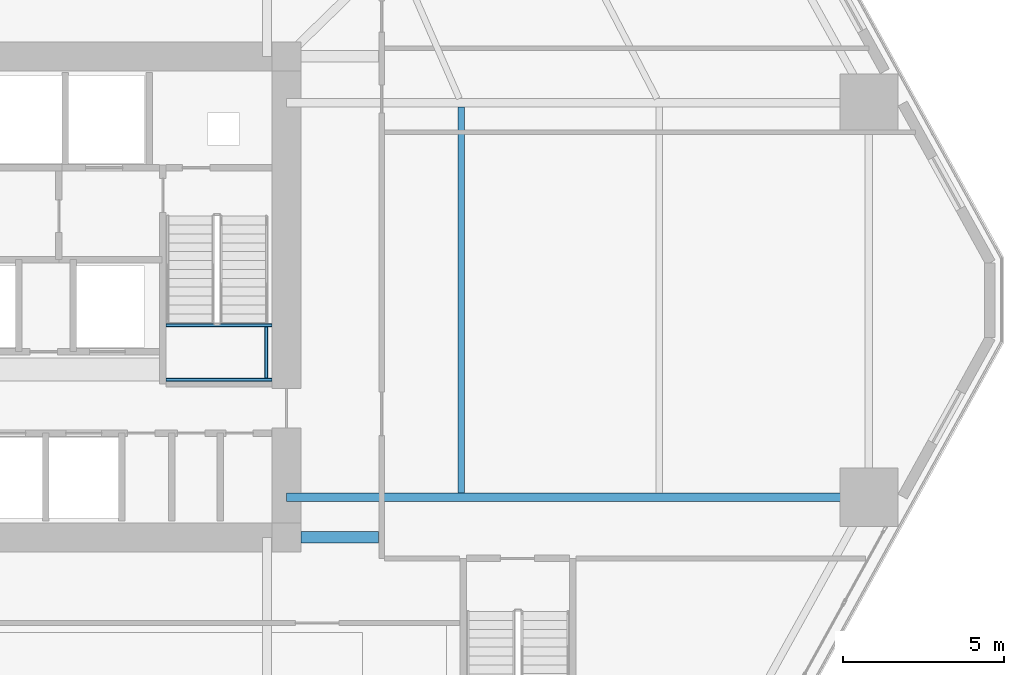
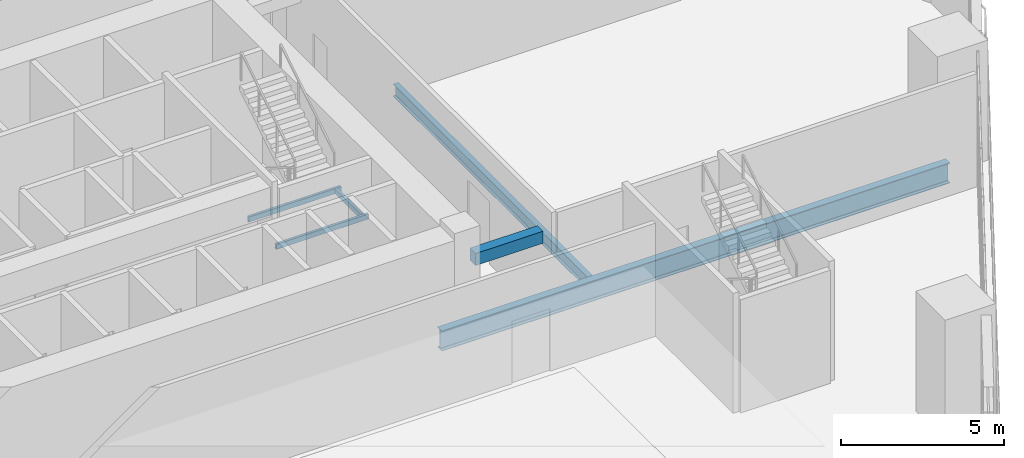
# One storey, part 3 of 18: 6 beams.
"""IFC4 building model written with IfcOpenShell, lengths in metres."""

from ifc_helpers import new_model, si_unit, direction, frame, origin, origin_2d, place, context, subcontext, project, spatial, rectangle, hollow_rectangle, i_section, extrude, material, material_profile, profile_set, type_object, element, save


model = new_model("IFC4")

# Units and contexts
model_context = context("Model", 3, precision=1e-05, world=origin(), true_north=direction((0.0, 1.0)))
body_context = subcontext(model_context, "Body", "Model", "MODEL_VIEW")
ifc_project = project(units=[si_unit("LENGTHUNIT", "METRE"), si_unit("AREAUNIT", "SQUARE_METRE"), si_unit("VOLUMEUNIT", "CUBIC_METRE"), si_unit("PLANEANGLEUNIT", "RADIAN"), si_unit("MASSUNIT", "GRAM", prefix="KILO")], contexts=[model_context])

# Site, building, storey
site_placement = place(None, origin())
site = spatial("IfcSite", under=ifc_project, at=site_placement, CompositionType="ELEMENT")
building_placement = place(site_placement, origin())
building = spatial("IfcBuilding", under=site, at=building_placement, Name="Cinnabar Lancet Tower", CompositionType="ELEMENT")
storey_placement = place(building_placement, frame((0.0, 0.0, 10.5)))
storey = spatial("IfcBuildingStorey", under=building, at=storey_placement, Name="L02", CompositionType="ELEMENT", Elevation=10.5)

# Beams
ifc_material_1 = material(Name="Structural steel S355", Category="steel")
ifc_material_profile_1 = material_profile(ifc_material_1, i_section(OverallWidth=0.1904296875, OverallDepth=0.45703125, WebThickness=0.009033203125, FlangeThickness=0.014404296875, FilletRadius=0.01025390625, at=origin_2d()), Name="UKB 457x191x74")
ifc_profile_set_1 = profile_set([ifc_material_profile_1], Name="Structural steel S355")
beam_type_1 = type_object("IfcBeamType", Name="STR-BM-JST-457", PredefinedType="JOIST", material=ifc_profile_set_1)
beam_1_placement = place(storey_placement, frame((47.261962890625, 19.824951171875, -0.47900390625), z_axis=(0.0, 1.0, 0.0), x_axis=(-1.0, 0.0, 0.0)))
element("IfcBeam", 1, at=beam_1_placement, inside=storey, type_object=beam_type_1, Name="L02 Secondary Floor Joist 2", PredefinedType="JOIST", context=body_context, shape_type="SweptSolid", body=[
    extrude(i_section(OverallWidth=0.1904296875, OverallDepth=0.45703125, WebThickness=0.009033203125, FlangeThickness=0.014404296875, FilletRadius=0.01025390625, at=origin_2d()), origin(), (0.0, 0.0, 1.0), 11.949951171875),
])
ifc_material_2 = material(Name="Structural steel S355", Category="steel")
ifc_material_profile_2 = material_profile(ifc_material_2, hollow_rectangle(XDim=0.10009765625, YDim=0.199951171875, WallThickness=0.008056640625, InnerFilletRadius=0.00390625, OuterFilletRadius=0.011962890625, at=origin_2d()), Name="RHS 200x100x8")
ifc_profile_set_2 = profile_set([ifc_material_profile_2], Name="Structural steel S355")
beam_type_2 = type_object("IfcBeamType", Name="STR-BM-LND-203", PredefinedType="BEAM", material=ifc_profile_set_2)
for number, where, z_axis, x_axis, name in (
    (2, (38.1201171875, 23.330078125, 1.949951171875), (1.0, 0.0, 0.0), (0.0, 1.0, 0.0), "L02 ST-2-L02 Landing Support Beam S"),
    (3, (38.1201171875, 25.02001953125, 1.949951171875), (1.0, 0.0, 0.0), (0.0, 1.0, 0.0), "L02 ST-2-L02 Landing Support Beam N"),
):
    element("IfcBeam", number, at=place(storey_placement, frame(where, z_axis=z_axis, x_axis=x_axis)), inside=storey, type_object=beam_type_2, Name=name, PredefinedType="BEAM", context=body_context, shape_type="SweptSolid", body=[
        extrude(hollow_rectangle(XDim=0.10009765625, YDim=0.199951171875, WallThickness=0.008056640625, InnerFilletRadius=0.00390625, OuterFilletRadius=0.011962890625, at=origin_2d()), origin(), (0.0, 0.0, 1.0), 3.27978515625),
    ])
beam_2_placement = place(storey_placement, frame((41.219970703125, 23.3798828125, 1.949951171875), z_axis=(0.0, 1.0, 0.0), x_axis=(-1.0, 0.0, 0.0)))
element("IfcBeam", 4, at=beam_2_placement, inside=storey, type_object=beam_type_2, Name="L02 ST-2-L02 Landing Side Trimmer Beam", PredefinedType="BEAM", context=body_context, shape_type="SweptSolid", body=[
    extrude(hollow_rectangle(XDim=0.10009765625, YDim=0.199951171875, WallThickness=0.008056640625, InnerFilletRadius=0.00390625, OuterFilletRadius=0.011962890625, at=origin_2d()), origin(), (0.0, 0.0, 1.0), 1.590087890625),
])
ifc_material_3 = material(Name="Concrete C45/55", Category="concrete")
ifc_material_profile_3 = material_profile(ifc_material_3, rectangle(XDim=0.35009765625, YDim=0.449951171875, at=origin_2d()), Name="RC-LNT 350x450")
ifc_profile_set_3 = profile_set([ifc_material_profile_3], Name="Concrete C45/55")
beam_type_3 = type_object("IfcBeamType", Name="STR-BM-LNT-450", PredefinedType="LINTEL", material=ifc_profile_set_3)
beam_3_placement = place(storey_placement, frame((42.300048828125, 18.449951171875, 3.050048828125), z_axis=(1.0, 0.0, 0.0), x_axis=(0.0, 1.0, 0.0)))
element("IfcBeam", 5, at=beam_3_placement, inside=storey, type_object=beam_type_3, Name="L02 Podium Gallery Arch Lintel SE", PredefinedType="LINTEL", context=body_context, shape_type="SweptSolid", body=[
    extrude(rectangle(XDim=0.35009765625, YDim=0.449951171875, at=origin_2d()), origin(), (0.0, 0.0, 1.0), 2.39990234375),
])
ifc_material_4 = material(Name="Structural steel S355", Category="steel")
ifc_material_profile_4 = material_profile(ifc_material_4, i_section(OverallWidth=0.2666015625, OverallDepth=0.76220703125, WebThickness=0.014404296875, FlangeThickness=0.021484375, FilletRadius=0.0166015625, at=origin_2d()), Name="UKB 762x267x173")
ifc_profile_set_4 = profile_set([ifc_material_profile_4], Name="Structural steel S355")
beam_type_4 = type_object("IfcBeamType", Name="STR-BM-UKB762-173", PredefinedType="BEAM", material=ifc_profile_set_4)
beam_4_placement = place(storey_placement, frame((59.89111328125, 19.69189453125, -0.631103515625), z_axis=(-1.0, 0.0, 0.0), x_axis=(0.0, -1.0, 0.0)))
element("IfcBeam", 6, at=beam_4_placement, inside=storey, type_object=beam_type_4, Name="L02 Primary Floor Girder 4", PredefinedType="BEAM", context=body_context, shape_type="SweptSolid", body=[
    extrude(i_section(OverallWidth=0.2666015625, OverallDepth=0.76220703125, WebThickness=0.014404296875, FlangeThickness=0.021484375, FilletRadius=0.0166015625, at=origin_2d()), origin(), (0.0, 0.0, 1.0), 18.041015625),
])

save(model, "model.ifc")
